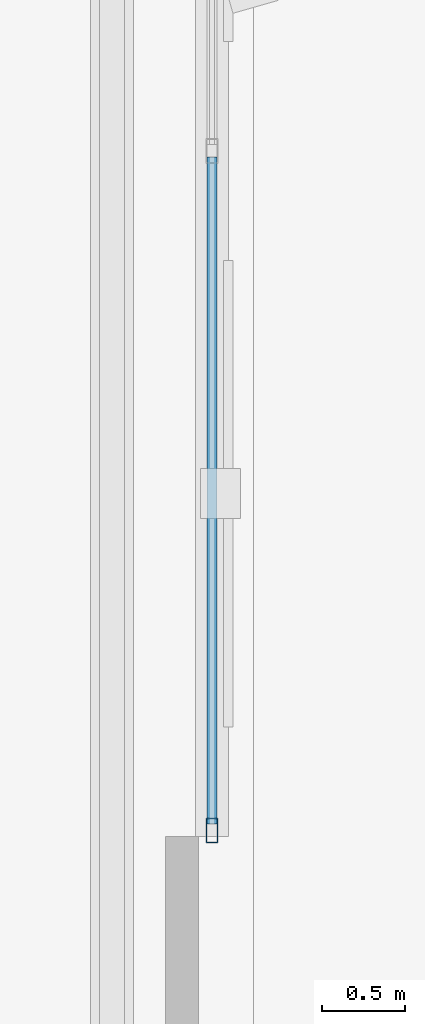
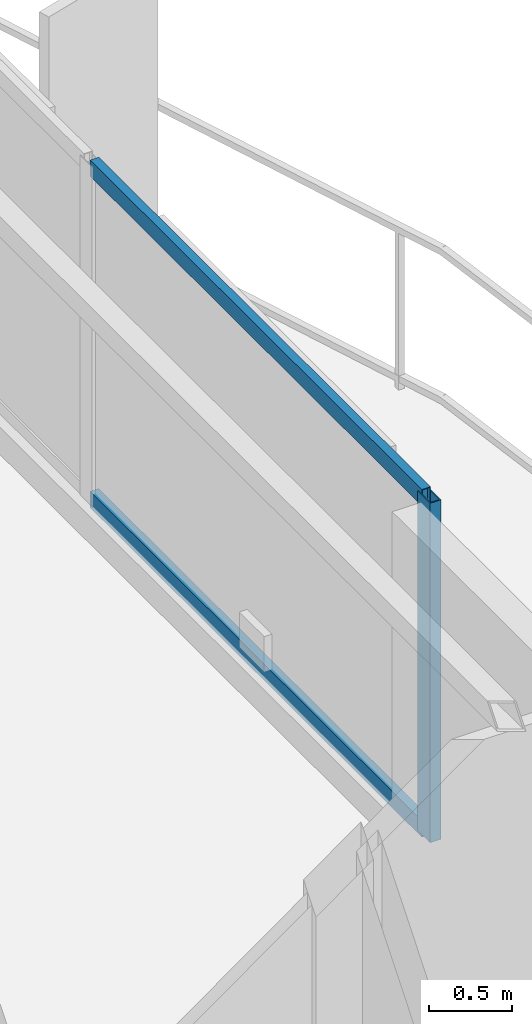
# One storey, part 7 of 18: 3 members, 1 element without a shape of its own.
"""IFC4 building model written with IfcOpenShell, lengths in metres."""

from ifc_helpers import new_model, si_unit, direction, frame, origin, origin_2d, place, context, subcontext, project, spatial, hollow_rectangle, extrude, material, layer, layer_set, material_profile, profile_set, type_object, element, aggregate, save


model = new_model("IFC4")

# Units and contexts
model_context = context("Model", 3, precision=1e-05, world=origin(), true_north=direction((0.0, 1.0)))
body_context = subcontext(model_context, "Body", "Model", "MODEL_VIEW")
ifc_project = project(units=[si_unit("LENGTHUNIT", "METRE"), si_unit("AREAUNIT", "SQUARE_METRE"), si_unit("VOLUMEUNIT", "CUBIC_METRE"), si_unit("PLANEANGLEUNIT", "RADIAN"), si_unit("MASSUNIT", "GRAM", prefix="KILO")], contexts=[model_context])

# Site, building, storey
site_placement = place(None, origin())
site = spatial("IfcSite", under=ifc_project, at=site_placement, CompositionType="ELEMENT")
building_placement = place(site_placement, origin())
building = spatial("IfcBuilding", under=site, at=building_placement, Name="Mersakhor Tower and Convention Hall", CompositionType="ELEMENT")
storey_placement = place(building_placement, frame((0.0, 0.0, 226.5)))
storey = spatial("IfcBuildingStorey", under=building, at=storey_placement, Name="L63", CompositionType="ELEMENT", Elevation=226.5)

# Curtain wall, members
ifc_material_1 = material(Name="Dark solar low-E aluminium curtain wall", Category="aluminium")
ifc_layer = layer(ifc_material_1, 0.179931640625)
ifc_layer_set = layer_set([ifc_layer], Name="Dark solar low-E aluminium curtain wall")
curtain_wall_type = type_object("IfcCurtainWallType", Name="CW-SYS-03", PredefinedType="USERDEFINED", material=ifc_layer_set)
curtain_wall_placement = place(storey_placement, origin())
curtain_wall = element("IfcCurtainWall", 1, at=curtain_wall_placement, inside=storey, type_object=curtain_wall_type, Name="L63 Dark-Glass Curtain Wall F2-B2", ObjectType="CURTAIN WALL", PredefinedType="USERDEFINED")
ifc_material_2 = material(Name="Anodised aluminium EN AW-6063 T6", Category="aluminium")
ifc_material_profile_1 = material_profile(ifc_material_2, hollow_rectangle(XDim=0.074951171875, YDim=0.14990234375, WallThickness=0.00634765625, at=origin_2d()), Name="RHS 150x75x6.3")
ifc_profile_set_1 = profile_set([ifc_material_profile_1], Name="Anodised aluminium EN AW-6063 T6")
member_type_1 = type_object("IfcMemberType", Name="CWM-150x75", PredefinedType="MULLION", material=ifc_profile_set_1)
member_1_placement = place(storey_placement, frame((39.742919921875, 22.673583984375, 0.199951171875), z_axis=(0.0, 0.0, 1.0), x_axis=(1.0, 0.0, 0.0)))
member_1 = element("IfcMember", 2, at=member_1_placement, type_object=member_type_1, Name="CW-03 mullion 3", PredefinedType="MULLION", context=body_context, shape_type="SweptSolid", body=[
    extrude(hollow_rectangle(XDim=0.074951171875, YDim=0.14990234375, WallThickness=0.00634765625, at=origin_2d()), origin(), (0.0, 0.0, 1.0), 2.5),
])
ifc_material_3 = material(Name="Anodised aluminium EN AW-6063 T6", Category="aluminium")
ifc_material_profile_2 = material_profile(ifc_material_3, hollow_rectangle(XDim=0.06005859375, YDim=0.1201171875, WallThickness=0.0048828125, at=origin_2d()), Name="RHS 120x60x5")
ifc_profile_set_2 = profile_set([ifc_material_profile_2], Name="Anodised aluminium EN AW-6063 T6")
member_type_2 = type_object("IfcMemberType", Name="CWT-120x60", PredefinedType="USERDEFINED", material=ifc_profile_set_2)
member_2_placement = place(storey_placement, frame((39.742919921875, 26.71240234375, 0.22998046875), z_axis=(0.0, -1.0, 0.0), x_axis=(1.0, 0.0, 0.0)))
member_2 = element("IfcMember", 3, at=member_2_placement, type_object=member_type_2, Name="CW-03 transom 2.1", ObjectType="TRANSOM", PredefinedType="USERDEFINED", context=body_context, shape_type="SweptSolid", body=[
    extrude(hollow_rectangle(XDim=0.06005859375, YDim=0.1201171875, WallThickness=0.0048828125, at=origin_2d()), origin(), (0.0, 0.0, 1.0), 4.001220703125),
])
member_3_placement = place(storey_placement, frame((39.742919921875, 26.71240234375, 2.669921875), z_axis=(0.0, -1.0, 0.0), x_axis=(1.0, 0.0, 0.0)))
member_3 = element("IfcMember", 4, at=member_3_placement, type_object=member_type_2, Name="CW-03 transom 2.2", ObjectType="TRANSOM", PredefinedType="USERDEFINED", context=body_context, shape_type="SweptSolid", body=[
    extrude(hollow_rectangle(XDim=0.06005859375, YDim=0.1201171875, WallThickness=0.0048828125, at=origin_2d()), origin(), (0.0, 0.0, 1.0), 4.001220703125),
])
aggregate(curtain_wall, [member_1, member_2, member_3])

save(model, "model.ifc")
